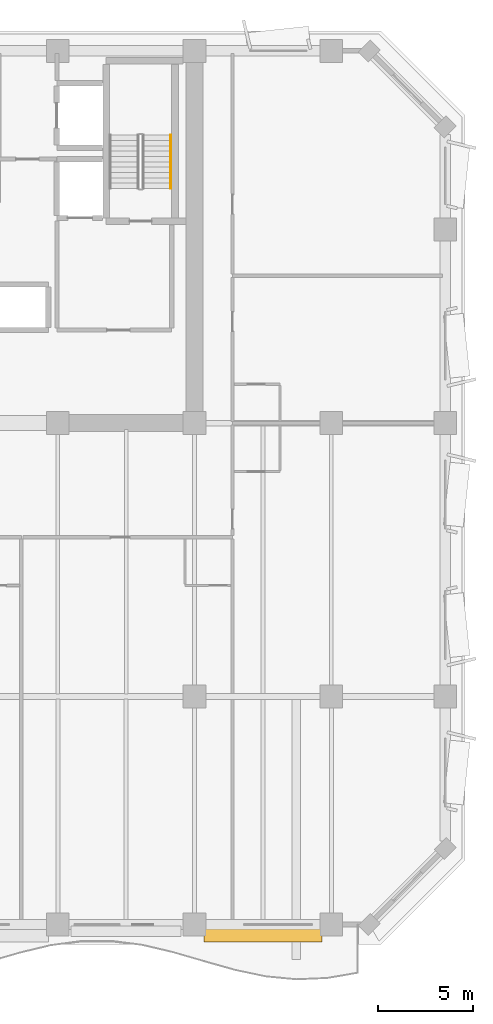
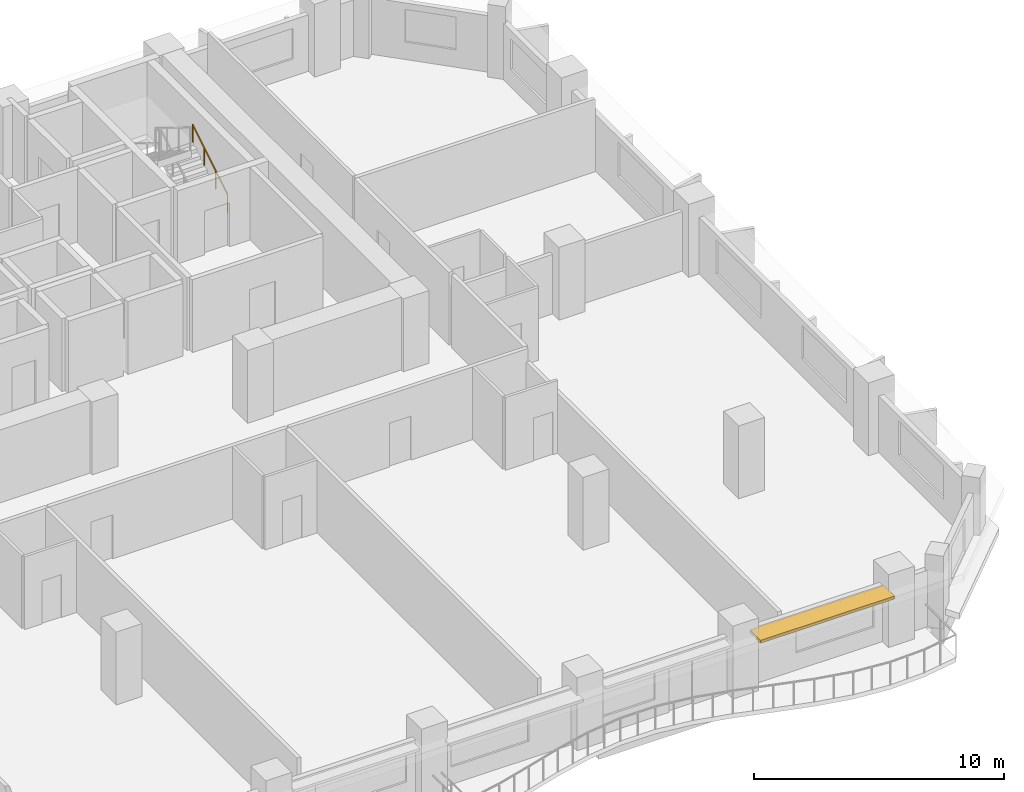
# One storey, part 14 of 14: 1 railing, 1 shading device.
"""IFC4 building model written with IfcOpenShell, lengths in metres."""

from ifc_helpers import new_model, si_unit, direction, frame, origin, origin_2d, place, context, subcontext, project, spatial, rectangle, extrude, material, layer, layer_set, type_object, element, save


model = new_model("IFC4")

# Units and contexts
model_context = context("Model", 3, precision=1e-05, world=origin(), true_north=direction((0.0, 1.0)))
body_context = subcontext(model_context, "Body", "Model", "MODEL_VIEW")
ifc_project = project(units=[si_unit("LENGTHUNIT", "METRE"), si_unit("AREAUNIT", "SQUARE_METRE"), si_unit("VOLUMEUNIT", "CUBIC_METRE"), si_unit("PLANEANGLEUNIT", "RADIAN"), si_unit("MASSUNIT", "GRAM", prefix="KILO")], contexts=[model_context])

# Site, building, storey
site_placement = place(None, origin())
site = spatial("IfcSite", under=ifc_project, at=site_placement, CompositionType="ELEMENT")
building_placement = place(site_placement, origin())
building = spatial("IfcBuilding", under=site, at=building_placement, Name="Kaelvorn Grand Hotel", CompositionType="ELEMENT")
storey_placement = place(building_placement, frame((0.0, 0.0, 209.14990234375)))
storey = spatial("IfcBuildingStorey", under=building, at=storey_placement, Name="L51", CompositionType="ELEMENT", Elevation=209.14990234375)

# Railing
ifc_material_1 = material(Name="Stainless Steel", Category="steel")
railing_type = type_object("IfcRailingType", Name="RL-HANDRAIL-900", PredefinedType="HANDRAIL", material=ifc_material_1)
railing_placement = place(storey_placement, frame((66.550048828125, 41.760009765625, 0.1728515625)))
element("IfcRailing", 1, at=railing_placement, inside=storey, type_object=railing_type, Name="L51 ST3 stair handrail 1", PredefinedType="HANDRAIL", context=body_context, shape_type="SweptSolid", body=[
    extrude(rectangle(XDim=0.048095703125, YDim=0.048095703125, at=origin_2d()), frame((0.0, 0.0, 0.8759765625), z_axis=(0.0, 0.851089632645, 0.525020415988), x_axis=(-1.0, 0.0, 0.0)), (0.0, 0.0, 1.0), 3.2900390625),
    extrude(rectangle(XDim=0.0419921875, YDim=0.0419921875, at=origin_2d()), origin(), (0.0, 0.0, 1.0), 0.851806640625),
    extrude(rectangle(XDim=0.0419921875, YDim=0.0419921875, at=origin_2d()), frame((0.0, 0.933349609375, 0.57568359375)), (0.0, 0.0, 1.0), 0.851806640625),
    extrude(rectangle(XDim=0.0419921875, YDim=0.0419921875, at=origin_2d()), frame((0.0, 1.86669921875, 1.151611328125)), (0.0, 0.0, 1.0), 0.851806640625),
    extrude(rectangle(XDim=0.0419921875, YDim=0.0419921875, at=origin_2d()), frame((0.0, 2.800048828125, 1.727294921875)), (0.0, 0.0, 1.0), 0.851806640625),
])

# Shading device
ifc_material_2 = material(Name="Precast concrete C45/55", Category="concrete")
ifc_layer = layer(ifc_material_2, 0.139892578125)
ifc_layer_set = layer_set([ifc_layer], Name="Precast concrete C45/55")
shading_device_type = type_object("IfcShadingDeviceType", Name="SHD-SUNSHADE-850", PredefinedType="USERDEFINED", material=ifc_layer_set)
shading_device_placement = place(storey_placement, frame((71.39990234375, 2.4951171875, 2.55029296875), z_axis=(0.0, 0.0, 1.0), x_axis=(1.0, 0.0, 0.0)))
element("IfcShadingDevice", 2, at=shading_device_placement, inside=storey, type_object=shading_device_type, Name="L51 Horizontal Concrete Sunshade Band SS-10", ObjectType="SUNSHADE", PredefinedType="USERDEFINED", context=body_context, shape_type="SweptSolid", body=[
    extrude(rectangle(XDim=6.199951171875, YDim=0.85009765625, at=origin_2d()), origin(), (0.0, 0.0, 1.0), 0.139892578125),
])

save(model, "model.ifc")
